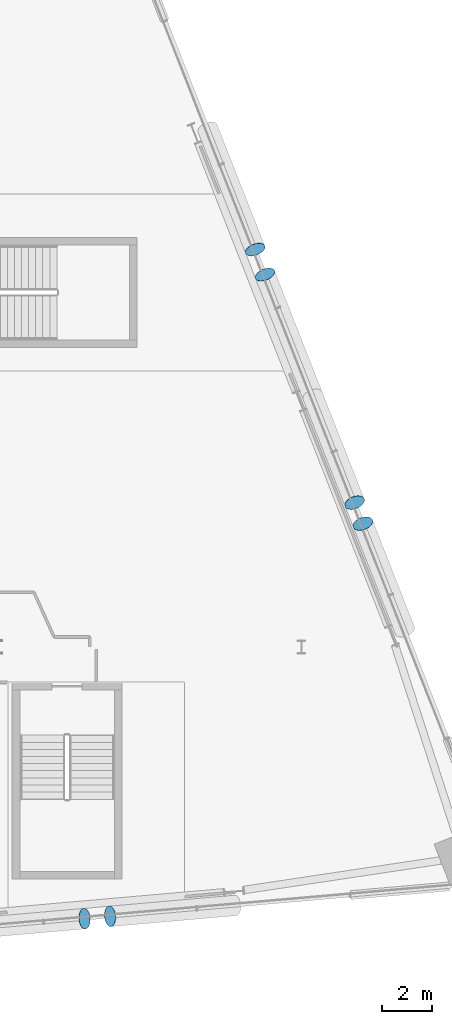
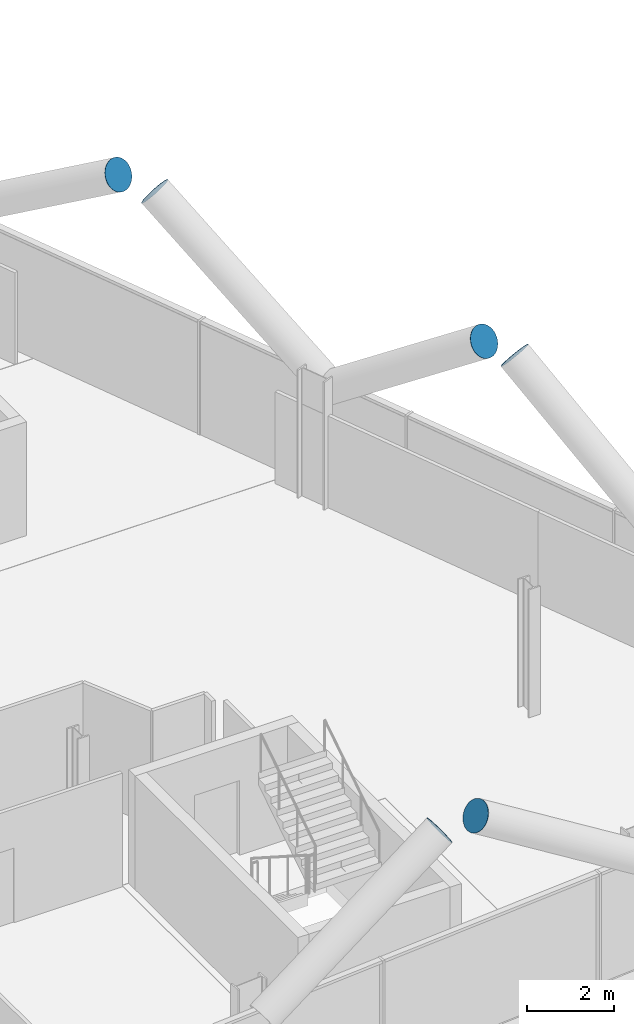
# One storey, part 22 of 26: 6 discrete accessories.
"""IFC4 building model written with IfcOpenShell, lengths in metres."""

from ifc_helpers import new_model, si_unit, direction, frame, origin, origin_2d, place, context, subcontext, project, spatial, circle, extrude, material, material_profile, profile_set, type_object, element, save


model = new_model("IFC4")

# Units and contexts
model_context = context("Model", 3, precision=1e-05, world=origin(), true_north=direction((0.0, 1.0)))
body_context = subcontext(model_context, "Body", "Model", "MODEL_VIEW")
ifc_project = project(units=[si_unit("LENGTHUNIT", "METRE"), si_unit("AREAUNIT", "SQUARE_METRE"), si_unit("VOLUMEUNIT", "CUBIC_METRE"), si_unit("PLANEANGLEUNIT", "RADIAN"), si_unit("MASSUNIT", "GRAM", prefix="KILO")], contexts=[model_context])

# Site, building, storey
site_placement = place(None, origin())
site = spatial("IfcSite", under=ifc_project, at=site_placement, CompositionType="ELEMENT")
building_placement = place(site_placement, origin())
building = spatial("IfcBuilding", under=site, at=building_placement, Name="Wharfspan Tower", CompositionType="ELEMENT")
storey_placement = place(building_placement, frame((0.0, 0.0, 114.699951)))
storey = spatial("IfcBuildingStorey", under=building, at=storey_placement, Name="L26", CompositionType="ELEMENT", Elevation=114.699951)

# Discrete accessories
ifc_material = material(Name="Steel S460NH", Category="steel")
ifc_material_profile = material_profile(ifc_material, circle(Radius=0.406494, at=origin_2d()))
ifc_profile_set = profile_set([ifc_material_profile], Name="Steel S460NH")
discrete_accessory_type = type_object("IfcDiscreteAccessoryType", Name="End plate CHS 813x40", PredefinedType="BRACKET", material=ifc_profile_set)
for number, where, z_axis, x_axis, name in (
    (1, (75.401855, 0.73291, 6.162354), (0.838548, 0.049326, 0.54259), (-0.058722, 0.99827, 1e-06), "End plate CHS 813x40"),
    (2, (76.427002, 0.82251, 6.162354), (-0.844416, -0.072379, 0.530776), (0.085402, -0.99635, 0.0), "End plate CHS 813x40"),
    (3, (82.563477, 26.251709, 6.158447), (-0.317451, 0.781418, 0.537225), (-0.92647, -0.376377, -2e-06), "End plate CHS 813x40"),
    (4, (82.168213, 27.257812, 6.158447), (0.289598, -0.796395, 0.53093), (0.939792, 0.341743, 1e-06), "End plate CHS 813x40"),
    (5, (86.442627, 16.381348, 6.172363), (-0.292683, 0.756098, 0.585366), (-0.932565, -0.360992, -1e-06), "End plate CHS 813x40"),
    (6, (86.109863, 17.228027, 6.172363), (0.292683, -0.756098, 0.585366), (0.932565, 0.360992, -1e-06), "End plate CHS 813x40"),
):
    element("IfcDiscreteAccessory", number, at=place(storey_placement, frame(where, z_axis=z_axis, x_axis=x_axis)), inside=storey, type_object=discrete_accessory_type, Name=name, PredefinedType="BRACKET", context=body_context, shape_type="SweptSolid", body=[
        extrude(circle(Radius=0.406494, at=origin_2d()), origin(), (0.0, 0.0, 1.0), 0.01001),
    ])

save(model, "model.ifc")
